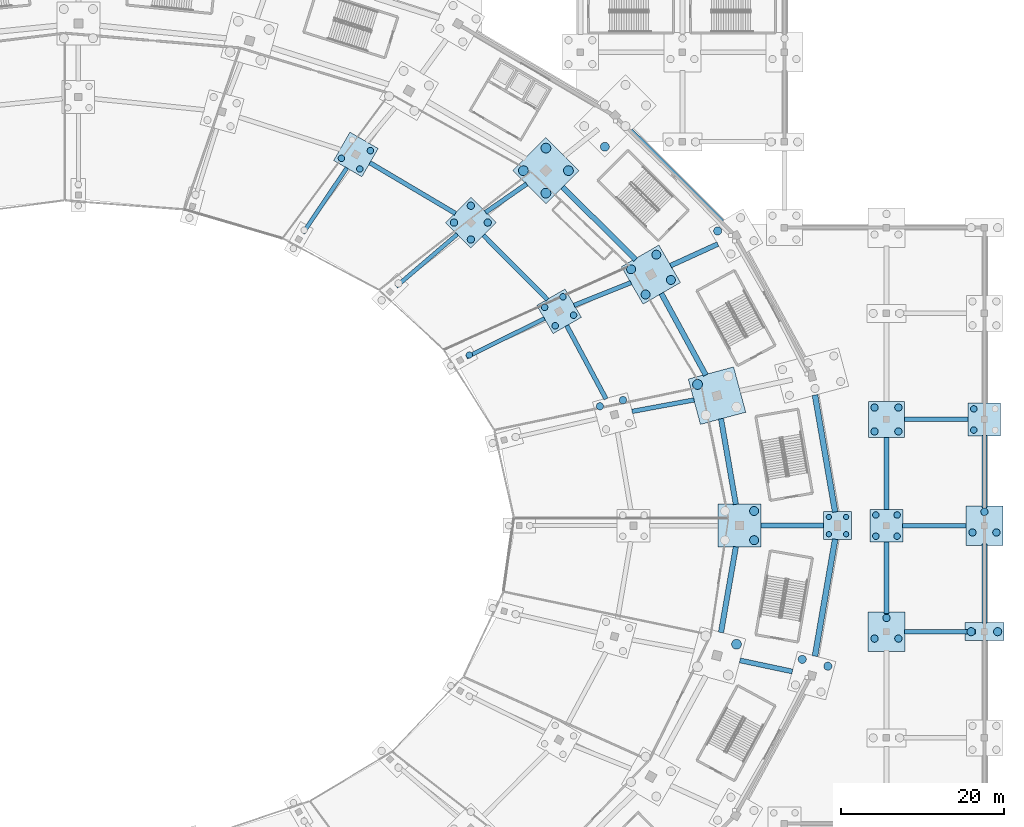
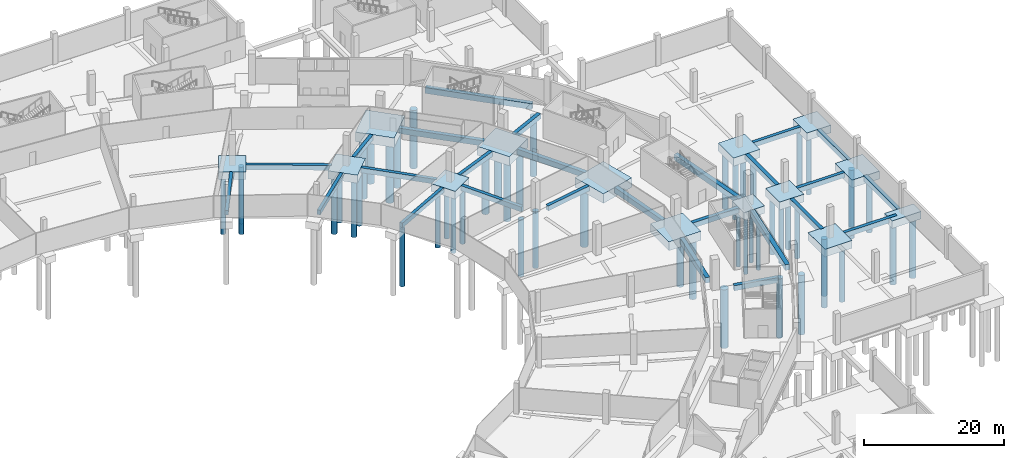
# One storey, part 8 of 74: 52 piles, 40 footings.
"""IFC4 building model written with IfcOpenShell, lengths in metres."""

from ifc_helpers import new_model, si_unit, direction, frame, origin, origin_2d, place, context, subcontext, project, spatial, polyline, rectangle, circle, outline, extrude, material, material_profile, profile_set, type_object, element, save


model = new_model("IFC4")

# Units and contexts
model_context = context("Model", 3, precision=1e-05, world=origin(), true_north=direction((0.0, 1.0)))
body_context = subcontext(model_context, "Body", "Model", "MODEL_VIEW")
ifc_project = project(units=[si_unit("LENGTHUNIT", "METRE"), si_unit("AREAUNIT", "SQUARE_METRE"), si_unit("VOLUMEUNIT", "CUBIC_METRE"), si_unit("PLANEANGLEUNIT", "RADIAN"), si_unit("MASSUNIT", "GRAM", prefix="KILO")], contexts=[model_context])

# Site, building, storey
site_placement = place(None, origin())
site = spatial("IfcSite", under=ifc_project, at=site_placement, CompositionType="ELEMENT")
building_placement = place(site_placement, origin())
building = spatial("IfcBuilding", under=site, at=building_placement, Name="Zlatoyarsky Gate Stadium", CompositionType="ELEMENT")
storey_placement = place(building_placement, frame((0.0, 0.0, -5.39990234375)))
storey = spatial("IfcBuildingStorey", under=building, at=storey_placement, Name="B1", CompositionType="ELEMENT", Elevation=-5.39990234375)

# Piles
ifc_material = material(Name="Concrete C35/45", Category="concrete")
ifc_material_profile_1 = material_profile(ifc_material, circle(Radius=0.324951171875, at=origin_2d()), Name="ANCHOR PILE D650")
ifc_profile_set_1 = profile_set([ifc_material_profile_1], Name="Concrete C35/45")
pile_type_1 = type_object("IfcPileType", Name="CONCRETE ANCHOR PILE D650", PredefinedType="SUPPORT", material=ifc_profile_set_1)
for number, where, z_axis, x_axis, name in (
    (1, (202.943603515625, 78.943603515625, -1.2001953125), (0.0, 0.0, -1.0), (1.0, 0.0, 0.0), "Pile 1 under RC-00"),
    (2, (205.056396484375, 78.943603515625, -1.2001953125), (0.0, 0.0, -1.0), (1.0, 0.0, 0.0), "Pile 2 under RC-00"),
    (3, (202.943603515625, 81.056396484375, -1.2001953125), (0.0, 0.0, -1.0), (1.0, 0.0, 0.0), "Pile 3 under RC-00"),
    (4, (205.056396484375, 81.056396484375, -1.2001953125), (0.0, 0.0, -1.0), (1.0, 0.0, 0.0), "Pile 4 under RC-00"),
):
    element("IfcPile", number, at=place(storey_placement, frame(where, z_axis=z_axis, x_axis=x_axis)), inside=storey, type_object=pile_type_1, Name=name, PredefinedType="SUPPORT", context=body_context, shape_type="SweptSolid", body=[
        extrude(circle(Radius=0.324951171875, at=origin_2d()), origin(), (0.0, 0.0, 1.0), 10.0),
    ])
ifc_material_profile_2 = material_profile(ifc_material, circle(Radius=0.5, at=origin_2d()), Name="BORED PILE D1000")
ifc_profile_set_2 = profile_set([ifc_material_profile_2], Name="Concrete C35/45")
pile_type_2 = type_object("IfcPileType", Name="CONCRETE BORED PILE D1000", PredefinedType="BORED", material=ifc_profile_set_2)
for number, where, z_axis, x_axis, name in (
    (5, (189.320556640625, 116.0947265625, -1.400146484375), (0.0, 0.0, -1.0), (1.0, 0.0, 0.0), "Pile 3 under RC-02"),
    (6, (199.68212890625, 63.614013671875, -1.400146484375), (0.0, 0.0, -1.0), (1.0, 0.0, 0.0), "Pile 3 under RC-23"),
    (7, (202.8212890625, 62.772705078125, -1.400146484375), (0.0, 0.0, -1.0), (1.0, 0.0, 0.0), "Pile 4 under RC-23"),
):
    element("IfcPile", number, at=place(storey_placement, frame(where, z_axis=z_axis, x_axis=x_axis)), inside=storey, type_object=pile_type_2, Name=name, PredefinedType="BORED", context=body_context, shape_type="SweptSolid", body=[
        extrude(circle(Radius=0.5, at=origin_2d()), origin(), (0.0, 0.0, 1.0), 10.39990234375),
    ])
for number, where, z_axis, x_axis, name in (
    (8, (220.375, 67.0, -1.2001953125), (0.0, 0.0, -1.0), (1.0, 0.0, 0.0), "Pile 1 under WG-19-G"),
    (9, (223.625, 67.0, -1.2001953125), (0.0, 0.0, -1.0), (1.0, 0.0, 0.0), "Pile 2 under WG-19-G"),
):
    element("IfcPile", number, at=place(storey_placement, frame(where, z_axis=z_axis, x_axis=x_axis)), inside=storey, type_object=pile_type_2, Name=name, PredefinedType="BORED", context=body_context, shape_type="SweptSolid", body=[
        extrude(circle(Radius=0.5, at=origin_2d()), origin(), (0.0, 0.0, 1.0), 10.60009765625),
    ])
ifc_material_profile_3 = material_profile(ifc_material, circle(Radius=0.550048828125, at=origin_2d()), Name="BORED PILE D1100")
ifc_profile_set_3 = profile_set([ifc_material_profile_3], Name="Concrete C35/45")
pile_type_3 = type_object("IfcPileType", Name="CONCRETE BORED PILE D1100", PredefinedType="BORED", material=ifc_profile_set_3)
for number, where, z_axis, x_axis, name in (
    (10, (193.78759765625, 78.21240234375, -1.4501953125), (0.0, 0.0, -1.0), (1.0, 0.0, 0.0), "Pile 2 under RB-00"),
    (11, (193.78759765625, 81.78759765625, -1.4501953125), (0.0, 0.0, -1.0), (1.0, 0.0, 0.0), "Pile 4 under RB-00"),
    (12, (180.493896484375, 108.30810546875, -1.4501953125), (0.0, 0.0, -1.0), (1.0, 0.0, 0.0), "Pile 1 under RB-02"),
    (13, (183.58984375, 110.095703125, -1.4501953125), (0.0, 0.0, -1.0), (1.0, 0.0, 0.0), "Pile 2 under RB-02"),
    (14, (178.706298828125, 111.404296875, -1.4501953125), (0.0, 0.0, -1.0), (1.0, 0.0, 0.0), "Pile 3 under RB-02"),
    (15, (181.802490234375, 113.19189453125, -1.4501953125), (0.0, 0.0, -1.0), (1.0, 0.0, 0.0), "Pile 4 under RB-02"),
):
    element("IfcPile", number, at=place(storey_placement, frame(where, z_axis=z_axis, x_axis=x_axis)), inside=storey, type_object=pile_type_3, Name=name, PredefinedType="BORED", context=body_context, shape_type="SweptSolid", body=[
        extrude(circle(Radius=0.550048828125, at=origin_2d()), origin(), (0.0, 0.0, 1.0), 10.35009765625),
    ])
pile_1_placement = place(storey_placement, frame((175.496826171875, 126.41259765625, -1.60009765625), z_axis=(0.0, 0.0, -1.0), x_axis=(1.0, 0.0, 0.0)))
element("IfcPile", 16, at=pile_1_placement, inside=storey, type_object=pile_type_3, Name="Pile 1 under RC-03", PredefinedType="BORED", context=body_context, shape_type="SweptSolid", body=[
    extrude(circle(Radius=0.550048828125, at=origin_2d()), origin(), (0.0, 0.0, 1.0), 10.199951171875),
])
ifc_material_profile_4 = material_profile(ifc_material, circle(Radius=0.60009765625, at=origin_2d()), Name="BORED PILE D1200")
ifc_profile_set_4 = profile_set([ifc_material_profile_4], Name="Concrete C35/45")
pile_type_4 = type_object("IfcPileType", Name="CONCRETE BORED PILE D1200", PredefinedType="BORED", material=ifc_profile_set_4)
for number, where, z_axis, x_axis, name in (
    (17, (186.851806640625, 97.29638671875, -1.550048828125), (0.0, 0.0, -1.0), (1.0, 0.0, 0.0), "Pile 3 under RB-01"),
    (18, (168.275634765625, 120.7294921875, -1.550048828125), (0.0, 0.0, -1.0), (1.0, 0.0, 0.0), "Pile 1 under RB-03"),
    (19, (171.033203125, 123.487060546875, -1.550048828125), (0.0, 0.0, -1.0), (1.0, 0.0, 0.0), "Pile 2 under RB-03"),
    (20, (165.517822265625, 123.487060546875, -1.550048828125), (0.0, 0.0, -1.0), (1.0, 0.0, 0.0), "Pile 3 under RB-03"),
    (21, (168.275634765625, 126.244873046875, -1.550048828125), (0.0, 0.0, -1.0), (1.0, 0.0, 0.0), "Pile 4 under RB-03"),
    (22, (191.62841796875, 65.46142578125, -1.550048828125), (0.0, 0.0, -1.0), (1.0, 0.0, 0.0), "Pile 4 under RB-23"),
):
    element("IfcPile", number, at=place(storey_placement, frame(where, z_axis=z_axis, x_axis=x_axis)), inside=storey, type_object=pile_type_4, Name=name, PredefinedType="BORED", context=body_context, shape_type="SweptSolid", body=[
        extrude(circle(Radius=0.60009765625, at=origin_2d()), origin(), (0.0, 0.0, 1.0), 10.25),
    ])
ifc_material_profile_5 = material_profile(ifc_material, circle(Radius=0.39990234375, at=origin_2d()), Name="BORED PILE D800")
ifc_profile_set_5 = profile_set([ifc_material_profile_5], Name="Concrete C35/45")
pile_type_5 = type_object("IfcPileType", Name="CONCRETE BORED PILE D800", PredefinedType="BORED", material=ifc_profile_set_5)
pile_2_placement = place(storey_placement, frame((158.89111328125, 100.89990234375, -1.10009765625), z_axis=(0.0, 0.0, -1.0), x_axis=(1.0, 0.0, 0.0)))
element("IfcPile", 23, at=pile_2_placement, inside=storey, type_object=pile_type_5, Name="Pile 2 under R0-02", PredefinedType="BORED", context=body_context, shape_type="SweptSolid", body=[
    extrude(circle(Radius=0.39990234375, at=origin_2d()), origin(), (0.0, 0.0, 1.0), 10.10009765625),
])
for number, where, z_axis, x_axis, name in (
    (24, (169.413818359375, 104.47412109375, -1.25), (0.0, 0.0, -1.0), (1.0, 0.0, 0.0), "Pile 1 under RA-02"),
    (25, (171.66552734375, 105.774169921875, -1.25), (0.0, 0.0, -1.0), (1.0, 0.0, 0.0), "Pile 2 under RA-02"),
    (26, (168.114013671875, 106.725830078125, -1.25), (0.0, 0.0, -1.0), (1.0, 0.0, 0.0), "Pile 3 under RA-02"),
    (27, (170.365478515625, 108.02587890625, -1.25), (0.0, 0.0, -1.0), (1.0, 0.0, 0.0), "Pile 4 under RA-02"),
    (28, (145.475830078125, 123.6904296875, -1.25), (0.0, 0.0, -1.0), (1.0, 0.0, 0.0), "Pile 1 under RA-04"),
    (29, (146.77587890625, 125.942138671875, -1.25), (0.0, 0.0, -1.0), (1.0, 0.0, 0.0), "Pile 2 under RA-04"),
    (30, (143.22412109375, 124.990478515625, -1.25), (0.0, 0.0, -1.0), (1.0, 0.0, 0.0), "Pile 3 under RA-04"),
    (31, (208.699951171875, 78.699951171875, -1.25), (0.0, 0.0, -1.0), (1.0, 0.0, 0.0), "Pile 1 under WG-18-H"),
    (32, (211.300048828125, 78.699951171875, -1.25), (0.0, 0.0, -1.0), (1.0, 0.0, 0.0), "Pile 2 under WG-18-H"),
    (33, (208.699951171875, 81.300048828125, -1.25), (0.0, 0.0, -1.0), (1.0, 0.0, 0.0), "Pile 3 under WG-18-H"),
    (34, (211.300048828125, 81.300048828125, -1.25), (0.0, 0.0, -1.0), (1.0, 0.0, 0.0), "Pile 4 under WG-18-H"),
    (35, (220.699951171875, 91.699951171875, -1.25), (0.0, 0.0, -1.0), (1.0, 0.0, 0.0), "Pile 1 under WG-19-J"),
    (36, (220.699951171875, 94.300048828125, -1.25), (0.0, 0.0, -1.0), (1.0, 0.0, 0.0), "Pile 3 under WG-19-J"),
):
    element("IfcPile", number, at=place(storey_placement, frame(where, z_axis=z_axis, x_axis=x_axis)), inside=storey, type_object=pile_type_5, Name=name, PredefinedType="BORED", context=body_context, shape_type="SweptSolid", body=[
        extrude(circle(Radius=0.39990234375, at=origin_2d()), origin(), (0.0, 0.0, 1.0), 9.949951171875),
    ])
ifc_material_profile_6 = material_profile(ifc_material, circle(Radius=0.449951171875, at=origin_2d()), Name="BORED PILE D900")
ifc_profile_set_6 = profile_set([ifc_material_profile_6], Name="Concrete C35/45")
pile_type_6 = type_object("IfcPileType", Name="CONCRETE BORED PILE D900", PredefinedType="BORED", material=ifc_profile_set_6)
for number, where, z_axis, x_axis, name in (
    (37, (174.891845703125, 94.6220703125, -1.300048828125), (0.0, 0.0, -1.0), (1.0, 0.0, 0.0), "Pile 3 under RA-01"),
    (38, (177.717041015625, 95.379150390625, -1.300048828125), (0.0, 0.0, -1.0), (1.0, 0.0, 0.0), "Pile 4 under RA-01"),
    (39, (159.083251953125, 115.0546875, -1.300048828125), (0.0, 0.0, -1.0), (1.0, 0.0, 0.0), "Pile 1 under RA-03"),
    (40, (161.151611328125, 117.123046875, -1.300048828125), (0.0, 0.0, -1.0), (1.0, 0.0, 0.0), "Pile 2 under RA-03"),
    (41, (157.014892578125, 117.123046875, -1.300048828125), (0.0, 0.0, -1.0), (1.0, 0.0, 0.0), "Pile 3 under RA-03"),
    (42, (159.083251953125, 119.19140625, -1.300048828125), (0.0, 0.0, -1.0), (1.0, 0.0, 0.0), "Pile 4 under RA-03"),
):
    element("IfcPile", number, at=place(storey_placement, frame(where, z_axis=z_axis, x_axis=x_axis)), inside=storey, type_object=pile_type_6, Name=name, PredefinedType="BORED", context=body_context, shape_type="SweptSolid", body=[
        extrude(circle(Radius=0.449951171875, at=origin_2d()), origin(), (0.0, 0.0, 1.0), 9.89990234375),
    ])
for number, where, z_axis, x_axis, name in (
    (43, (208.53759765625, 66.15576171875, -1.25), (0.0, 0.0, -1.0), (1.0, 0.0, 0.0), "Pile 1 under WG-18-G"),
    (44, (211.46240234375, 66.15576171875, -1.25), (0.0, 0.0, -1.0), (1.0, 0.0, 0.0), "Pile 2 under WG-18-G"),
    (45, (210.0, 68.688720703125, -1.25), (0.0, 0.0, -1.0), (1.0, 0.0, 0.0), "Pile 3 under WG-18-G"),
):
    element("IfcPile", number, at=place(storey_placement, frame(where, z_axis=z_axis, x_axis=x_axis)), inside=storey, type_object=pile_type_6, Name=name, PredefinedType="BORED", context=body_context, shape_type="SweptSolid", body=[
        extrude(circle(Radius=0.449951171875, at=origin_2d()), origin(), (0.0, 0.0, 1.0), 9.949951171875),
    ])
for number, where, z_axis, x_axis, name in (
    (46, (208.53759765625, 91.53759765625, -1.300048828125), (0.0, 0.0, -1.0), (1.0, 0.0, 0.0), "Pile 1 under WG-18-J"),
    (47, (211.46240234375, 91.53759765625, -1.300048828125), (0.0, 0.0, -1.0), (1.0, 0.0, 0.0), "Pile 2 under WG-18-J"),
    (48, (208.53759765625, 94.46240234375, -1.300048828125), (0.0, 0.0, -1.0), (1.0, 0.0, 0.0), "Pile 3 under WG-18-J"),
    (49, (211.46240234375, 94.46240234375, -1.300048828125), (0.0, 0.0, -1.0), (1.0, 0.0, 0.0), "Pile 4 under WG-18-J"),
):
    element("IfcPile", number, at=place(storey_placement, frame(where, z_axis=z_axis, x_axis=x_axis)), inside=storey, type_object=pile_type_6, Name=name, PredefinedType="BORED", context=body_context, shape_type="SweptSolid", body=[
        extrude(circle(Radius=0.449951171875, at=origin_2d()), origin(), (0.0, 0.0, 1.0), 9.89990234375),
    ])
for number, where, z_axis, x_axis, name in (
    (50, (220.53759765625, 79.15576171875, -1.25), (0.0, 0.0, -1.0), (1.0, 0.0, 0.0), "Pile 1 under WG-19-H"),
    (51, (223.46240234375, 79.15576171875, -1.25), (0.0, 0.0, -1.0), (1.0, 0.0, 0.0), "Pile 2 under WG-19-H"),
    (52, (222.0, 81.688720703125, -1.25), (0.0, 0.0, -1.0), (1.0, 0.0, 0.0), "Pile 3 under WG-19-H"),
):
    element("IfcPile", number, at=place(storey_placement, frame(where, z_axis=z_axis, x_axis=x_axis)), inside=storey, type_object=pile_type_6, Name=name, PredefinedType="BORED", context=body_context, shape_type="SweptSolid", body=[
        extrude(circle(Radius=0.449951171875, at=origin_2d()), origin(), (0.0, 0.0, 1.0), 9.949951171875),
    ])

# Footings
ifc_material_profile_7 = material_profile(ifc_material, rectangle(XDim=0.5, YDim=0.800048828125, at=origin_2d()), Name="GB 500X800")
ifc_profile_set_7 = profile_set([ifc_material_profile_7], Name="Concrete C35/45")
footing_type_1 = type_object("IfcFootingType", Name="CONCRETE GROUND TIE BEAM 500X800", PredefinedType="STRIP_FOOTING", material=ifc_profile_set_7)
footing_1_placement = place(storey_placement, frame((0.0, 0.0, -0.800048828125)))
element("IfcFooting", 53, at=footing_1_placement, inside=storey, type_object=footing_type_1, Name="Ground tie beam GB-01 R0-02 to RA-02", PredefinedType="STRIP_FOOTING", context=body_context, shape_type="SweptSolid", body=[
    extrude(outline(polyline([(158.674072265625, 100.420654296875), (168.217041015625, 105.143310546875), (167.9951171875, 105.591552734375), (158.4521484375, 100.86865234375), (158.674072265625, 100.420654296875)])), origin(), (0.0, 0.0, 1.0), 0.800048828125),
])
footing_2_placement = place(storey_placement, frame((0.0, 0.0, -0.800048828125)))
element("IfcFooting", 54, at=footing_2_placement, inside=storey, type_object=footing_type_1, Name="Ground tie beam GB-01 R0-03 to RA-03", PredefinedType="STRIP_FOOTING", context=body_context, shape_type="SweptSolid", body=[
    extrude(outline(polyline([(150.09814453125, 109.09228515625), (157.583251953125, 115.508056640625), (157.2578125, 115.8876953125), (149.772705078125, 109.471923828125), (150.09814453125, 109.09228515625)])), origin(), (0.0, 0.0, 1.0), 0.800048828125),
])
footing_3_placement = place(storey_placement, frame((0.0, 0.0, -0.800048828125)))
element("IfcFooting", 55, at=footing_3_placement, inside=storey, type_object=footing_type_1, Name="Ground tie beam GB-01 R0-04 to RA-04", PredefinedType="STRIP_FOOTING", context=body_context, shape_type="SweptSolid", body=[
    extrude(outline(polyline([(138.70458984375, 115.672607421875), (144.095703125, 123.676025390625), (143.680908203125, 123.95556640625), (138.289794921875, 115.951904296875), (138.70458984375, 115.672607421875)])), origin(), (0.0, 0.0, 1.0), 0.800048828125),
])
ifc_material_profile_8 = material_profile(ifc_material, rectangle(XDim=0.550048828125, YDim=0.85009765625, at=origin_2d()), Name="GB 550X850")
ifc_profile_set_8 = profile_set([ifc_material_profile_8], Name="Concrete C35/45")
footing_type_2 = type_object("IfcFootingType", Name="CONCRETE GROUND TIE BEAM 550X850", PredefinedType="STRIP_FOOTING", material=ifc_profile_set_8)
footing_4_placement = place(storey_placement, frame((0.0, 0.0, -0.85009765625)))
element("IfcFooting", 56, at=footing_4_placement, inside=storey, type_object=footing_type_2, Name="Ground tie beam GB-02 RA-01 to RB-01", PredefinedType="STRIP_FOOTING", context=body_context, shape_type="SweptSolid", body=[
    extrude(outline(polyline([(178.886474609375, 93.717041015625), (186.47314453125, 95.12451171875), (186.373046875, 95.665283203125), (178.7861328125, 94.2578125), (178.886474609375, 93.717041015625)])), origin(), (0.0, 0.0, 1.0), 0.85009765625),
])
footing_5_placement = place(storey_placement, frame((0.0, 0.0, -0.85009765625)))
element("IfcFooting", 57, at=footing_5_placement, inside=storey, type_object=footing_type_2, Name="Ground tie beam GB-02 RA-01 to RA-02", PredefinedType="STRIP_FOOTING", context=body_context, shape_type="SweptSolid", body=[
    extrude(outline(polyline([(175.889892578125, 95.647705078125), (171.07275390625, 104.62646484375), (170.588134765625, 104.366455078125), (175.4052734375, 95.3876953125), (175.889892578125, 95.647705078125)])), origin(), (0.0, 0.0, 1.0), 0.85009765625),
])
footing_6_placement = place(storey_placement, frame((0.0, 0.0, -0.85009765625)))
element("IfcFooting", 58, at=footing_6_placement, inside=storey, type_object=footing_type_2, Name="Ground tie beam GB-02 RA-02 to RB-02", PredefinedType="STRIP_FOOTING", context=body_context, shape_type="SweptSolid", body=[
    extrude(outline(polyline([(171.839599609375, 106.733154296875), (178.798828125, 109.514892578125), (178.5947265625, 110.025634765625), (171.635498046875, 107.243896484375), (171.839599609375, 106.733154296875)])), origin(), (0.0, 0.0, 1.0), 0.85009765625),
])
footing_7_placement = place(storey_placement, frame((0.0, 0.0, -0.85009765625)))
element("IfcFooting", 59, at=footing_7_placement, inside=storey, type_object=footing_type_2, Name="Ground tie beam GB-02 RA-02 to RA-03", PredefinedType="STRIP_FOOTING", context=body_context, shape_type="SweptSolid", body=[
    extrude(outline(polyline([(168.681884765625, 107.85546875), (160.822265625, 115.763671875), (160.43212890625, 115.3759765625), (168.291748046875, 107.467529296875), (168.681884765625, 107.85546875)])), origin(), (0.0, 0.0, 1.0), 0.85009765625),
])
footing_8_placement = place(storey_placement, frame((0.0, 0.0, -0.85009765625)))
element("IfcFooting", 60, at=footing_8_placement, inside=storey, type_object=footing_type_2, Name="Ground tie beam GB-02 RA-03 to RB-03", PredefinedType="STRIP_FOOTING", context=body_context, shape_type="SweptSolid", body=[
    extrude(outline(polyline([(161.04052734375, 118.1435546875), (166.076416015625, 121.630126953125), (165.763427734375, 122.08251953125), (160.727294921875, 118.595703125), (161.04052734375, 118.1435546875)])), origin(), (0.0, 0.0, 1.0), 0.85009765625),
])
footing_9_placement = place(storey_placement, frame((0.0, 0.0, -0.85009765625)))
element("IfcFooting", 61, at=footing_9_placement, inside=storey, type_object=footing_type_2, Name="Ground tie beam GB-02 RA-03 to RA-04", PredefinedType="STRIP_FOOTING", context=body_context, shape_type="SweptSolid", body=[
    extrude(outline(polyline([(157.33935546875, 118.475830078125), (146.852294921875, 124.6884765625), (146.572021484375, 124.21533203125), (157.058837890625, 118.002685546875), (157.33935546875, 118.475830078125)])), origin(), (0.0, 0.0, 1.0), 0.85009765625),
])
footing_10_placement = place(storey_placement, frame((0.0, 0.0, -0.85009765625)))
element("IfcFooting", 62, at=footing_10_placement, inside=storey, type_object=footing_type_2, Name="Ground tie beam GB-02 WG-18-G to WG-19-G", PredefinedType="STRIP_FOOTING", context=body_context, shape_type="SweptSolid", body=[
    extrude(outline(polyline([(212.239990234375, 66.72509765625), (220.909912109375, 66.72509765625), (220.909912109375, 67.27490234375), (212.239990234375, 67.27490234375), (212.239990234375, 66.72509765625)])), origin(), (0.0, 0.0, 1.0), 0.85009765625),
])
footing_11_placement = place(storey_placement, frame((0.0, 0.0, -0.85009765625)))
element("IfcFooting", 63, at=footing_11_placement, inside=storey, type_object=footing_type_2, Name="Ground tie beam GB-02 WG-18-H to WG-19-H", PredefinedType="STRIP_FOOTING", context=body_context, shape_type="SweptSolid", body=[
    extrude(outline(polyline([(211.989990234375, 79.72509765625), (219.760009765625, 79.72509765625), (219.760009765625, 80.27490234375), (211.989990234375, 80.27490234375), (211.989990234375, 79.72509765625)])), origin(), (0.0, 0.0, 1.0), 0.85009765625),
])
footing_12_placement = place(storey_placement, frame((0.0, 0.0, -0.85009765625)))
element("IfcFooting", 64, at=footing_12_placement, inside=storey, type_object=footing_type_2, Name="Ground tie beam GB-02 WG-18-J to WG-19-J", PredefinedType="STRIP_FOOTING", context=body_context, shape_type="SweptSolid", body=[
    extrude(outline(polyline([(212.18994140625, 92.72509765625), (220.010009765625, 92.72509765625), (220.010009765625, 93.27490234375), (212.18994140625, 93.27490234375), (212.18994140625, 92.72509765625)])), origin(), (0.0, 0.0, 1.0), 0.85009765625),
])
ifc_material_profile_9 = material_profile(ifc_material, rectangle(XDim=0.60009765625, YDim=0.89990234375, at=origin_2d()), Name="GB 600X900")
ifc_profile_set_9 = profile_set([ifc_material_profile_9], Name="Concrete C35/45")
footing_type_3 = type_object("IfcFootingType", Name="CONCRETE GROUND TIE BEAM 600X900", PredefinedType="STRIP_FOOTING", material=ifc_profile_set_9)
footing_13_placement = place(storey_placement, frame((0.0, 0.0, -0.900146484375)))
element("IfcFooting", 65, at=footing_13_placement, inside=storey, type_object=footing_type_3, Name="Ground tie beam GB-03 RB-00 to RC-00", PredefinedType="STRIP_FOOTING", context=body_context, shape_type="SweptSolid", body=[
    extrude(outline(polyline([(194.639892578125, 79.699951171875), (202.31005859375, 79.699951171875), (202.31005859375, 80.300048828125), (194.639892578125, 80.300048828125), (194.639892578125, 79.699951171875)])), origin(), (0.0, 0.0, 1.0), 0.900146484375),
])
footing_14_placement = place(storey_placement, frame((0.0, 0.0, -0.900146484375)))
element("IfcFooting", 66, at=footing_14_placement, inside=storey, type_object=footing_type_3, Name="Ground tie beam GB-03 RB-02 to RC-02", PredefinedType="STRIP_FOOTING", context=body_context, shape_type="SweptSolid", body=[
    extrude(outline(polyline([(183.673828125, 111.57470703125), (189.46875, 114.22314453125), (189.21923828125, 114.76904296875), (183.424560546875, 112.120361328125), (183.673828125, 111.57470703125)])), origin(), (0.0, 0.0, 1.0), 0.900146484375),
])
footing_15_placement = place(storey_placement, frame((0.0, 0.0, -0.900146484375)))
element("IfcFooting", 67, at=footing_15_placement, inside=storey, type_object=footing_type_3, Name="Ground tie beam GB-03 RB-23 to RC-23", PredefinedType="STRIP_FOOTING", context=body_context, shape_type="SweptSolid", body=[
    extrude(outline(polyline([(191.98046875, 63.194580078125), (198.406494140625, 61.83154296875), (198.531005859375, 62.41845703125), (192.104736328125, 63.781494140625), (191.98046875, 63.194580078125)])), origin(), (0.0, 0.0, 1.0), 0.900146484375),
])
footing_16_placement = place(storey_placement, frame((0.0, 0.0, -0.900146484375)))
element("IfcFooting", 68, at=footing_16_placement, inside=storey, type_object=footing_type_3, Name="Ground tie beam GB-03 WG-18-G to WG-18-H", PredefinedType="STRIP_FOOTING", context=body_context, shape_type="SweptSolid", body=[
    extrude(outline(polyline([(210.300048828125, 69.239990234375), (210.300048828125, 78.010009765625), (209.699951171875, 78.010009765625), (209.699951171875, 69.239990234375), (210.300048828125, 69.239990234375)])), origin(), (0.0, 0.0, 1.0), 0.900146484375),
])
footing_17_placement = place(storey_placement, frame((0.0, 0.0, -0.900146484375)))
element("IfcFooting", 69, at=footing_17_placement, inside=storey, type_object=footing_type_3, Name="Ground tie beam GB-03 WG-18-H to WG-18-J", PredefinedType="STRIP_FOOTING", context=body_context, shape_type="SweptSolid", body=[
    extrude(outline(polyline([(210.300048828125, 81.989990234375), (210.300048828125, 90.81005859375), (209.699951171875, 90.81005859375), (209.699951171875, 81.989990234375), (210.300048828125, 81.989990234375)])), origin(), (0.0, 0.0, 1.0), 0.900146484375),
])
footing_18_placement = place(storey_placement, frame((0.0, 0.0, -0.900146484375)))
element("IfcFooting", 70, at=footing_18_placement, inside=storey, type_object=footing_type_3, Name="Ground tie beam GB-03 WG-19-G to WG-19-H", PredefinedType="STRIP_FOOTING", context=body_context, shape_type="SweptSolid", body=[
    extrude(outline(polyline([(222.300048828125, 68.090087890625), (222.300048828125, 77.760009765625), (221.699951171875, 77.760009765625), (221.699951171875, 68.090087890625), (222.300048828125, 68.090087890625)])), origin(), (0.0, 0.0, 1.0), 0.900146484375),
])
footing_19_placement = place(storey_placement, frame((0.0, 0.0, -0.900146484375)))
element("IfcFooting", 71, at=footing_19_placement, inside=storey, type_object=footing_type_3, Name="Ground tie beam GB-03 WG-19-H to WG-19-J", PredefinedType="STRIP_FOOTING", context=body_context, shape_type="SweptSolid", body=[
    extrude(outline(polyline([(222.300048828125, 82.239990234375), (222.300048828125, 91.010009765625), (221.699951171875, 91.010009765625), (221.699951171875, 82.239990234375), (222.300048828125, 82.239990234375)])), origin(), (0.0, 0.0, 1.0), 0.900146484375),
])
ifc_material_profile_10 = material_profile(ifc_material, rectangle(XDim=0.64990234375, YDim=0.949951171875, at=origin_2d()), Name="GB 650X950")
ifc_profile_set_10 = profile_set([ifc_material_profile_10], Name="Concrete C35/45")
footing_type_4 = type_object("IfcFootingType", Name="CONCRETE GROUND TIE BEAM 650X950", PredefinedType="STRIP_FOOTING", material=ifc_profile_set_10)
footing_20_placement = place(storey_placement, frame((0.0, 0.0, -0.9501953125)))
element("IfcFooting", 72, at=footing_20_placement, inside=storey, type_object=footing_type_4, Name="Ground tie beam GB-04 RB-00 to RB-01", PredefinedType="STRIP_FOOTING", context=body_context, shape_type="SweptSolid", body=[
    extrude(outline(polyline([(191.869140625, 82.65673828125), (190.0498046875, 93.150146484375), (189.4091796875, 93.0390625), (191.228759765625, 82.545654296875), (191.869140625, 82.65673828125)])), origin(), (0.0, 0.0, 1.0), 0.9501953125),
])
footing_21_placement = place(storey_placement, frame((0.0, 0.0, -0.9501953125)))
element("IfcFooting", 73, at=footing_21_placement, inside=storey, type_object=footing_type_4, Name="Ground tie beam GB-04 RB-01 to RB-02", PredefinedType="STRIP_FOOTING", context=body_context, shape_type="SweptSolid", body=[
    extrude(outline(polyline([(188.1533203125, 98.588134765625), (182.69775390625, 108.588134765625), (182.127197265625, 108.27685546875), (187.58251953125, 98.27685546875), (188.1533203125, 98.588134765625)])), origin(), (0.0, 0.0, 1.0), 0.9501953125),
])
footing_22_placement = place(storey_placement, frame((0.0, 0.0, -0.9501953125)))
element("IfcFooting", 74, at=footing_22_placement, inside=storey, type_object=footing_type_4, Name="Ground tie beam GB-04 RB-02 to RB-03", PredefinedType="STRIP_FOOTING", context=body_context, shape_type="SweptSolid", body=[
    extrude(outline(polyline([(179.5, 112.837890625), (170.540771484375, 121.703125), (170.08349609375, 121.240966796875), (179.04296875, 112.3759765625), (179.5, 112.837890625)])), origin(), (0.0, 0.0, 1.0), 0.9501953125),
])
footing_23_placement = place(storey_placement, frame((0.0, 0.0, -0.9501953125)))
element("IfcFooting", 75, at=footing_23_placement, inside=storey, type_object=footing_type_4, Name="Ground tie beam GB-04 RB-23 to RB-00", PredefinedType="STRIP_FOOTING", context=body_context, shape_type="SweptSolid", body=[
    extrude(outline(polyline([(190.0498046875, 66.849853515625), (191.869140625, 77.34326171875), (191.228759765625, 77.454345703125), (189.4091796875, 66.9609375), (190.0498046875, 66.849853515625)])), origin(), (0.0, 0.0, 1.0), 0.9501953125),
])
ifc_material_profile_11 = material_profile(ifc_material, rectangle(XDim=0.699951171875, YDim=1.0, at=origin_2d()), Name="GB 700X1000")
ifc_profile_set_11 = profile_set([ifc_material_profile_11], Name="Concrete C35/45")
footing_type_5 = type_object("IfcFootingType", Name="CONCRETE GROUND TIE BEAM 700X1000", PredefinedType="STRIP_FOOTING", material=ifc_profile_set_11)
footing_24_placement = place(storey_placement, frame((0.0, 0.0, -1.0)))
element("IfcFooting", 76, at=footing_24_placement, inside=storey, type_object=footing_type_5, Name="Ground tie beam GB-05 RC-00 to RC-01", PredefinedType="STRIP_FOOTING", context=body_context, shape_type="SweptSolid", body=[
    extrude(outline(polyline([(204.0576171875, 81.724853515625), (201.58642578125, 96.0556640625), (200.896484375, 95.936767578125), (203.367919921875, 81.60595703125), (204.0576171875, 81.724853515625)])), origin(), (0.0, 0.0, 1.0), 1.0),
])
footing_25_placement = place(storey_placement, frame((0.0, 0.0, -1.0)))
element("IfcFooting", 77, at=footing_25_placement, inside=storey, type_object=footing_type_5, Name="Ground tie beam GB-05 RC-02 to RC-03", PredefinedType="STRIP_FOOTING", context=body_context, shape_type="SweptSolid", body=[
    extrude(outline(polyline([(190.0751953125, 117.451416015625), (178.879150390625, 128.5908203125), (178.385498046875, 128.094482421875), (189.58154296875, 116.955078125), (190.0751953125, 117.451416015625)])), origin(), (0.0, 0.0, 1.0), 1.0),
])
footing_26_placement = place(storey_placement, frame((0.0, 0.0, -1.0)))
element("IfcFooting", 78, at=footing_26_placement, inside=storey, type_object=footing_type_5, Name="Ground tie beam GB-05 RC-23 to RC-00", PredefinedType="STRIP_FOOTING", context=body_context, shape_type="SweptSolid", body=[
    extrude(outline(polyline([(201.58642578125, 63.9443359375), (204.0576171875, 78.275146484375), (203.367919921875, 78.39404296875), (200.896484375, 64.063232421875), (201.58642578125, 63.9443359375)])), origin(), (0.0, 0.0, 1.0), 1.0),
])
footing_type_6 = type_object("IfcFootingType", Name="CONCRETE PILE CAP 3400X3400X1300", PredefinedType="PILE_CAP", material=ifc_material)
footing_27_placement = place(storey_placement, frame((204.0, 80.0, -1.30029296875), z_axis=(0.0, 0.0, 1.0), x_axis=(1.0, 0.0, 0.0)))
element("IfcFooting", 79, at=footing_27_placement, inside=storey, type_object=footing_type_6, Name="Pile cap PC-10 at RC-00", PredefinedType="PILE_CAP", context=body_context, shape_type="SweptSolid", body=[
    extrude(rectangle(XDim=3.39990234375, YDim=3.39990234375, at=origin_2d()), origin(), (0.0, 0.0, 1.0), 1.300048828125),
])
footing_type_7 = type_object("IfcFootingType", Name="CONCRETE PILE CAP 4000X4000X1350", PredefinedType="PILE_CAP", material=ifc_material)
for number, where, z_axis, x_axis, name in (
    (80, (169.8896484375, 106.25, -1.35009765625), (0.0, 0.0, 1.0), (0.866025403784, 0.5, 0.0), "Pile cap PC-05 at RA-02"),
    (81, (145.0, 125.46630859375, -1.35009765625), (0.0, 0.0, 1.0), (0.5, 0.866025403784, 0.0), "Pile cap PC-05 at RA-04"),
    (82, (210.0, 80.0, -1.35009765625), (0.0, 0.0, 1.0), (1.0, 0.0, 0.0), "Pile cap PC-05 at WG-18-H"),
    (83, (222.0, 93.0, -1.35009765625), (0.0, 0.0, 1.0), (1.0, 0.0, 0.0), "Pile cap PC-05 at WG-19-J"),
):
    element("IfcFooting", number, at=place(storey_placement, frame(where, z_axis=z_axis, x_axis=x_axis)), inside=storey, type_object=footing_type_7, Name=name, PredefinedType="PILE_CAP", context=body_context, shape_type="SweptSolid", body=[
        extrude(rectangle(XDim=4.0, YDim=4.0, at=origin_2d()), origin(), (0.0, 0.0, 1.0), 1.35009765625),
    ])
footing_type_8 = type_object("IfcFootingType", Name="CONCRETE PILE CAP 4400X4400X1400", PredefinedType="PILE_CAP", material=ifc_material)
for number, where, z_axis, x_axis, name in (
    (84, (159.083251953125, 117.123046875, -1.400146484375), (0.0, 0.0, 1.0), (0.707106781187, 0.707106781187, 0.0), "Pile cap PC-06 at RA-03"),
    (85, (210.0, 93.0, -1.400146484375), (0.0, 0.0, 1.0), (1.0, 0.0, 0.0), "Pile cap PC-06 at WG-18-J"),
):
    element("IfcFooting", number, at=place(storey_placement, frame(where, z_axis=z_axis, x_axis=x_axis)), inside=storey, type_object=footing_type_8, Name=name, PredefinedType="PILE_CAP", context=body_context, shape_type="SweptSolid", body=[
        extrude(rectangle(XDim=4.39990234375, YDim=4.39990234375, at=origin_2d()), origin(), (0.0, 0.0, 1.0), 1.39990234375),
    ])
footing_type_9 = type_object("IfcFootingType", Name="CONCRETE PILE CAP 4500X4850X1350", PredefinedType="PILE_CAP", material=ifc_material)
for number, where, z_axis, x_axis, name in (
    (86, (210.0, 67.0, -1.35009765625), (0.0, 0.0, 1.0), (1.0, 0.0, 0.0), "Pile cap PC-04 at WG-18-G"),
    (87, (222.0, 80.0, -1.35009765625), (0.0, 0.0, 1.0), (1.0, 0.0, 0.0), "Pile cap PC-04 at WG-19-H"),
):
    element("IfcFooting", number, at=place(storey_placement, frame(where, z_axis=z_axis, x_axis=x_axis)), inside=storey, type_object=footing_type_9, Name=name, PredefinedType="PILE_CAP", context=body_context, shape_type="SweptSolid", body=[
        extrude(rectangle(XDim=4.5, YDim=4.85009765625, at=origin_2d()), origin(), (0.0, 0.0, 1.0), 1.35009765625),
    ])
footing_type_10 = type_object("IfcFootingType", Name="CONCRETE PILE CAP 4800X2200X1300", PredefinedType="PILE_CAP", material=ifc_material)
footing_28_placement = place(storey_placement, frame((222.0, 67.0, -1.30029296875), z_axis=(0.0, 0.0, 1.0), x_axis=(1.0, 0.0, 0.0)))
element("IfcFooting", 88, at=footing_28_placement, inside=storey, type_object=footing_type_10, Name="Pile cap PC-03 at WG-19-G", PredefinedType="PILE_CAP", context=body_context, shape_type="SweptSolid", body=[
    extrude(rectangle(XDim=4.800048828125, YDim=2.199951171875, at=origin_2d()), origin(), (0.0, 0.0, 1.0), 1.300048828125),
])
footing_type_11 = type_object("IfcFootingType", Name="CONCRETE PILE CAP 5300X5300X1550", PredefinedType="PILE_CAP", material=ifc_material)
for number, where, z_axis, x_axis, name in (
    (89, (192.0, 80.0, -1.55029296875), (0.0, 0.0, 1.0), (1.0, 0.0, 0.0), "Pile cap PC-08 at RB-00"),
    (90, (181.148193359375, 110.75, -1.55029296875), (0.0, 0.0, 1.0), (0.866025403784, 0.5, 0.0), "Pile cap PC-08 at RB-02"),
):
    element("IfcFooting", number, at=place(storey_placement, frame(where, z_axis=z_axis, x_axis=x_axis)), inside=storey, type_object=footing_type_11, Name=name, PredefinedType="PILE_CAP", context=body_context, shape_type="SweptSolid", body=[
        extrude(rectangle(XDim=5.300048828125, YDim=5.300048828125, at=origin_2d()), origin(), (0.0, 0.0, 1.0), 1.550048828125),
    ])
footing_type_12 = type_object("IfcFootingType", Name="CONCRETE PILE CAP 5750X5750X1650", PredefinedType="PILE_CAP", material=ifc_material)
for number, where, z_axis, x_axis, name in (
    (91, (189.239990234375, 95.91748046875, -1.650146484375), (0.0, 0.0, 1.0), (0.965925826289, 0.258819045103, 0.0), "Pile cap PC-09 at RB-01"),
    (92, (168.275634765625, 123.487060546875, -1.650146484375), (0.0, 0.0, 1.0), (0.707106781187, 0.707106781187, 0.0), "Pile cap PC-09 at RB-03"),
):
    element("IfcFooting", number, at=place(storey_placement, frame(where, z_axis=z_axis, x_axis=x_axis)), inside=storey, type_object=footing_type_12, Name=name, PredefinedType="PILE_CAP", context=body_context, shape_type="SweptSolid", body=[
        extrude(rectangle(XDim=5.75, YDim=5.75, at=origin_2d()), origin(), (0.0, 0.0, 1.0), 1.64990234375),
    ])

save(model, "model.ifc")
